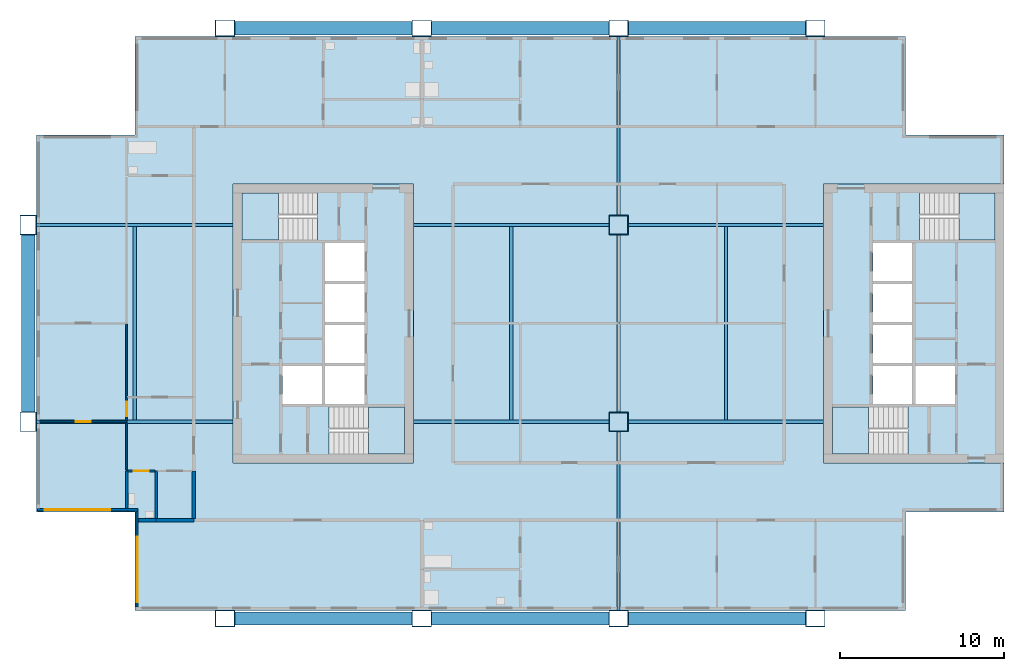
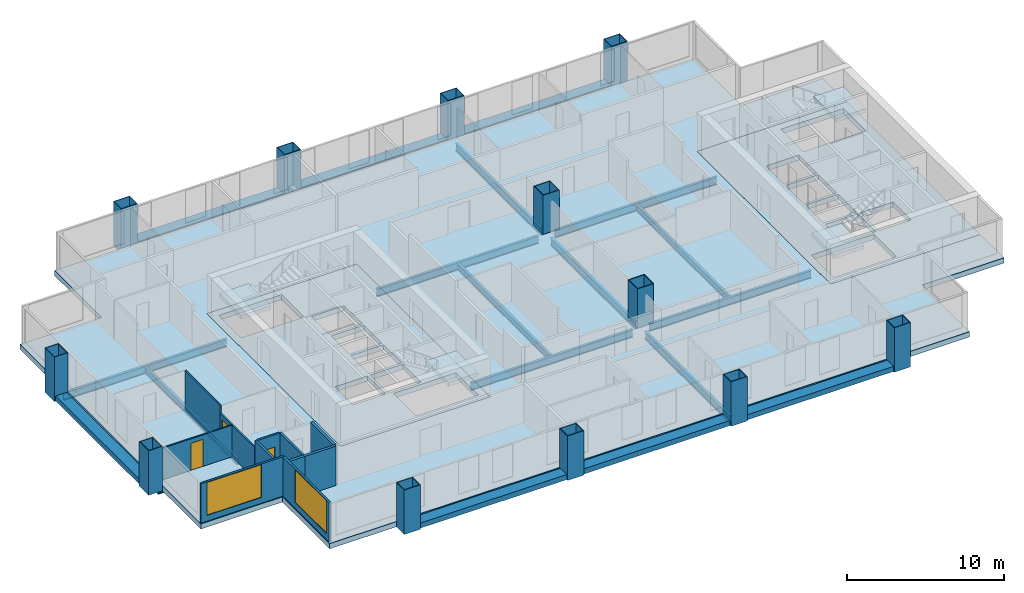
# One storey, part 1 of 9: 19 beams, 12 columns, 12 walls, 7 slabs, 3 doors, 2 windows, 5 openings, 4 elements without a shape of their own.
"""IFC4 building model written with IfcOpenShell, lengths in metres."""

from ifc_helpers import new_model, si_unit, direction, frame, frame_2d, origin, origin_2d, place, context, subcontext, project, spatial, polyline, rectangle, hollow_rectangle, i_section, outline, extrude, material, layer, layer_set, material_profile, profile_set, type_object, element, fill, aggregate, save


model = new_model("IFC4")

# Units and contexts
model_context = context("Model", 3, precision=1e-05, world=origin(), true_north=direction((0.0, 1.0)))
body_context = subcontext(model_context, "Body", "Model", "MODEL_VIEW")
ifc_project = project(units=[si_unit("LENGTHUNIT", "METRE"), si_unit("AREAUNIT", "SQUARE_METRE"), si_unit("VOLUMEUNIT", "CUBIC_METRE"), si_unit("PLANEANGLEUNIT", "RADIAN"), si_unit("MASSUNIT", "GRAM", prefix="KILO")], contexts=[model_context])

# Site, building, storey
site_placement = place(None, origin())
site = spatial("IfcSite", under=ifc_project, at=site_placement, CompositionType="ELEMENT")
building_placement = place(site_placement, origin())
building = spatial("IfcBuilding", under=site, at=building_placement, Name="Kitamizu Gate Tower and Museum", CompositionType="ELEMENT")
storey_placement = place(building_placement, frame((0.0, 0.0, 206.550048828125)))
storey = spatial("IfcBuildingStorey", under=building, at=storey_placement, Name="L55", CompositionType="ELEMENT", Elevation=206.550048828125)

# Columns
ifc_material_1 = material(Name="Steel SM490A bronze coated", Category="steel")
ifc_material_profile_1 = material_profile(ifc_material_1, hollow_rectangle(XDim=1.199951171875, YDim=1.0, WallThickness=0.044921875, at=origin_2d()), Name="BOX 1200x1000x45")
ifc_profile_set_1 = profile_set([ifc_material_profile_1], Name="Steel SM490A bronze coated")
column_type_1 = type_object("IfcColumnType", Name="Exoskeleton column XC7 BOX 1200x1000x45", PredefinedType="COLUMN", material=ifc_profile_set_1)
for number, where, z_axis, x_axis, name in (
    (1, (0.0, 24.0, -0.400146484375), (0.0, 0.0, 1.0), (0.0, 1.0, 0.0), "Column XC7 1C L55"),
    (2, (0.0, 36.0, -0.400146484375), (0.0, 0.0, 1.0), (0.0, 1.0, 0.0), "Column XC7 1D L55"),
    (3, (12.0, 12.0, -0.400146484375), (0.0, 0.0, 1.0), (1.0, 0.0, 0.0), "Column XC7 2B L55"),
    (4, (12.0, 48.0, -0.400146484375), (0.0, 0.0, 1.0), (1.0, 0.0, 0.0), "Column XC7 2E L55"),
    (5, (24.0, 12.0, -0.400146484375), (0.0, 0.0, 1.0), (1.0, 0.0, 0.0), "Column XC7 3B L55"),
    (6, (24.0, 48.0, -0.400146484375), (0.0, 0.0, 1.0), (1.0, 0.0, 0.0), "Column XC7 3E L55"),
    (7, (36.0, 12.0, -0.400146484375), (0.0, 0.0, 1.0), (1.0, 0.0, 0.0), "Column XC7 4B L55"),
    (8, (36.0, 48.0, -0.400146484375), (0.0, 0.0, 1.0), (1.0, 0.0, 0.0), "Column XC7 4E L55"),
    (9, (48.0, 12.0, -0.400146484375), (0.0, 0.0, 1.0), (1.0, 0.0, 0.0), "Column XC7 5B L55"),
    (10, (48.0, 48.0, -0.400146484375), (0.0, 0.0, 1.0), (1.0, 0.0, 0.0), "Column XC7 5E L55"),
):
    element("IfcColumn", number, at=place(storey_placement, frame(where, z_axis=z_axis, x_axis=x_axis)), inside=storey, type_object=column_type_1, Name=name, PredefinedType="COLUMN", context=body_context, shape_type="SweptSolid", body=[
        extrude(hollow_rectangle(XDim=1.199951171875, YDim=1.0, WallThickness=0.044921875, at=origin_2d()), origin(), (0.0, 0.0, 1.0), 3.4501953125),
    ])
ifc_material_2 = material(Name="Steel SM490A", Category="steel")
ifc_material_profile_2 = material_profile(ifc_material_2, hollow_rectangle(XDim=1.199951171875, YDim=1.199951171875, WallThickness=0.050048828125, at=origin_2d()), Name="BOX 1200x1200x50")
ifc_profile_set_2 = profile_set([ifc_material_profile_2], Name="Steel SM490A")
column_type_2 = type_object("IfcColumnType", Name="Interior column IC4 BOX 1200x1200x50", PredefinedType="COLUMN", material=ifc_profile_set_2)
for number, where, z_axis, x_axis, name in (
    (11, (36.0, 24.0, 0.0), (0.0, 0.0, 1.0), (1.0, 0.0, 0.0), "Column IC4 4C L55"),
    (12, (36.0, 36.0, 0.0), (0.0, 0.0, 1.0), (1.0, 0.0, 0.0), "Column IC4 4D L55"),
):
    element("IfcColumn", number, at=place(storey_placement, frame(where, z_axis=z_axis, x_axis=x_axis)), inside=storey, type_object=column_type_2, Name=name, PredefinedType="COLUMN", context=body_context, shape_type="SweptSolid", body=[
        extrude(hollow_rectangle(XDim=1.199951171875, YDim=1.199951171875, WallThickness=0.050048828125, at=origin_2d()), origin(), (0.0, 0.0, 1.0), 3.050048828125),
    ])

# Beams
ifc_material_3 = material(Name="Steel SM490A bronze coated", Category="steel")
ifc_material_profile_3 = material_profile(ifc_material_3, hollow_rectangle(XDim=0.800048828125, YDim=0.39990234375, WallThickness=0.0400390625, at=origin_2d()), Name="BOX 800x400x40")
ifc_profile_set_3 = profile_set([ifc_material_profile_3], Name="Steel SM490A bronze coated")
beam_type_1 = type_object("IfcBeamType", Name="Exoskeleton spandrel beam SB1 BOX 800x400x40", PredefinedType="SPANDREL", material=ifc_profile_set_3)
for number, where, z_axis, x_axis, name in (
    (13, (12.60009765625, 12.0, -0.199951171875), (1.0, 0.0, 0.0), (0.0, 1.0, 0.0), "Exoskeleton spandrel beam south 12 L55"),
    (14, (24.60009765625, 12.0, -0.199951171875), (1.0, 0.0, 0.0), (0.0, 1.0, 0.0), "Exoskeleton spandrel beam south 24 L55"),
    (15, (36.60009765625, 12.0, -0.199951171875), (1.0, 0.0, 0.0), (0.0, 1.0, 0.0), "Exoskeleton spandrel beam south 36 L55"),
    (16, (12.60009765625, 48.0, -0.199951171875), (1.0, 0.0, 0.0), (0.0, 1.0, 0.0), "Exoskeleton spandrel beam north 12 L55"),
    (17, (24.60009765625, 48.0, -0.199951171875), (1.0, 0.0, 0.0), (0.0, 1.0, 0.0), "Exoskeleton spandrel beam north 24 L55"),
    (18, (36.60009765625, 48.0, -0.199951171875), (1.0, 0.0, 0.0), (0.0, 1.0, 0.0), "Exoskeleton spandrel beam north 36 L55"),
    (19, (0.0, 24.60009765625, -0.199951171875), (0.0, 1.0, 0.0), (-1.0, 0.0, 0.0), "Exoskeleton spandrel beam west 24 L55"),
):
    element("IfcBeam", number, at=place(storey_placement, frame(where, z_axis=z_axis, x_axis=x_axis)), inside=storey, type_object=beam_type_1, Name=name, PredefinedType="SPANDREL", context=body_context, shape_type="SweptSolid", body=[
        extrude(hollow_rectangle(XDim=0.800048828125, YDim=0.39990234375, WallThickness=0.0400390625, at=origin_2d()), origin(), (0.0, 0.0, 1.0), 10.7998046875),
    ])
ifc_material_4 = material(Name="Steel SM490A", Category="steel")
ifc_material_profile_4 = material_profile(ifc_material_4, i_section(OverallWidth=0.199951171875, OverallDepth=0.5, WebThickness=0.010009765625, FlangeThickness=0.01611328125, FilletRadius=0.02001953125, at=origin_2d()), Name="H-500x200x10x16")
ifc_profile_set_4 = profile_set([ifc_material_profile_4], Name="Steel SM490A")
beam_type_2 = type_object("IfcBeamType", Name="Floor beam FB1 H 500x200x10x16", PredefinedType="BEAM", material=ifc_profile_set_4)
for number, where, z_axis, x_axis, name in (
    (20, (6.5, 24.10009765625, -0.650146484375), (0.0, 1.0, 0.0), (-1.0, 0.0, 0.0), "Floor beam FB1 L55-1"),
    (21, (29.449951171875, 24.10009765625, -0.650146484375), (0.0, 1.0, 0.0), (-1.0, 0.0, 0.0), "Floor beam FB1 L55-2"),
    (22, (42.550048828125, 24.10009765625, -0.650146484375), (0.0, 1.0, 0.0), (-1.0, 0.0, 0.0), "Floor beam FB1 L55-3"),
):
    element("IfcBeam", number, at=place(storey_placement, frame(where, z_axis=z_axis, x_axis=x_axis)), inside=storey, type_object=beam_type_2, Name=name, PredefinedType="BEAM", context=body_context, shape_type="SweptSolid", body=[
        extrude(i_section(OverallWidth=0.199951171875, OverallDepth=0.5, WebThickness=0.010009765625, FlangeThickness=0.01611328125, FilletRadius=0.02001953125, at=origin_2d()), origin(), (0.0, 0.0, 1.0), 11.7998046875),
    ])
ifc_material_5 = material(Name="Steel SM490A", Category="steel")
ifc_material_profile_5 = material_profile(ifc_material_5, i_section(OverallWidth=0.199951171875, OverallDepth=0.60009765625, WebThickness=0.010986328125, FlangeThickness=0.01708984375, FilletRadius=0.02197265625, at=origin_2d()), Name="H-600x200x11x17")
ifc_profile_set_5 = profile_set([ifc_material_profile_5], Name="Steel SM490A")
beam_type_3 = type_object("IfcBeamType", Name="Floor girder FG1 H 600x200x11x17", PredefinedType="BEAM", material=ifc_profile_set_5)
beam_1_placement = place(storey_placement, frame((36.0, 12.5, -0.699951171875), z_axis=(0.0, 1.0, 0.0), x_axis=(-1.0, 0.0, 0.0)))
element("IfcBeam", 23, at=beam_1_placement, inside=storey, type_object=beam_type_3, Name="Floor girder FG1 x36 L55", PredefinedType="BEAM", context=body_context, shape_type="SweptSolid", body=[
    extrude(i_section(OverallWidth=0.199951171875, OverallDepth=0.60009765625, WebThickness=0.010986328125, FlangeThickness=0.01708984375, FilletRadius=0.02197265625, at=origin_2d()), origin(), (0.0, 0.0, 1.0), 10.89990234375),
])
beam_2_placement = place(storey_placement, frame((36.0, 24.60009765625, -0.699951171875), z_axis=(0.0, 1.0, 0.0), x_axis=(-1.0, 0.0, 0.0)))
element("IfcBeam", 24, at=beam_2_placement, inside=storey, type_object=beam_type_3, Name="Floor girder FG1 x36 L55", PredefinedType="BEAM", context=body_context, shape_type="SweptSolid", body=[
    extrude(i_section(OverallWidth=0.199951171875, OverallDepth=0.60009765625, WebThickness=0.010986328125, FlangeThickness=0.01708984375, FilletRadius=0.02197265625, at=origin_2d()), origin(), (0.0, 0.0, 1.0), 10.7998046875),
])
beam_3_placement = place(storey_placement, frame((36.0, 36.60009765625, -0.699951171875), z_axis=(0.0, 1.0, 0.0), x_axis=(-1.0, 0.0, 0.0)))
element("IfcBeam", 25, at=beam_3_placement, inside=storey, type_object=beam_type_3, Name="Floor girder FG1 x36 L55", PredefinedType="BEAM", context=body_context, shape_type="SweptSolid", body=[
    extrude(i_section(OverallWidth=0.199951171875, OverallDepth=0.60009765625, WebThickness=0.010986328125, FlangeThickness=0.01708984375, FilletRadius=0.02197265625, at=origin_2d()), origin(), (0.0, 0.0, 1.0), 10.89990234375),
])
beam_4_placement = place(storey_placement, frame((0.5, 24.0, -0.699951171875), z_axis=(1.0, 0.0, 0.0), x_axis=(0.0, 1.0, 0.0)))
element("IfcBeam", 26, at=beam_4_placement, inside=storey, type_object=beam_type_3, Name="Floor girder FG1 y24 L55", PredefinedType="BEAM", context=body_context, shape_type="SweptSolid", body=[
    extrude(i_section(OverallWidth=0.199951171875, OverallDepth=0.60009765625, WebThickness=0.010986328125, FlangeThickness=0.01708984375, FilletRadius=0.02197265625, at=origin_2d()), origin(), (0.0, 0.0, 1.0), 12.0),
])
for number, where, z_axis, x_axis, name in (
    (27, (23.5, 24.0, -0.699951171875), (1.0, 0.0, 0.0), (0.0, 1.0, 0.0), "Floor girder FG1 y24 L55"),
    (28, (36.60009765625, 24.0, -0.699951171875), (1.0, 0.0, 0.0), (0.0, 1.0, 0.0), "Floor girder FG1 y24 L55"),
):
    element("IfcBeam", number, at=place(storey_placement, frame(where, z_axis=z_axis, x_axis=x_axis)), inside=storey, type_object=beam_type_3, Name=name, PredefinedType="BEAM", context=body_context, shape_type="SweptSolid", body=[
        extrude(i_section(OverallWidth=0.199951171875, OverallDepth=0.60009765625, WebThickness=0.010986328125, FlangeThickness=0.01708984375, FilletRadius=0.02197265625, at=origin_2d()), origin(), (0.0, 0.0, 1.0), 11.89990234375),
    ])
beam_5_placement = place(storey_placement, frame((0.5, 36.0, -0.699951171875), z_axis=(1.0, 0.0, 0.0), x_axis=(0.0, 1.0, 0.0)))
element("IfcBeam", 29, at=beam_5_placement, inside=storey, type_object=beam_type_3, Name="Floor girder FG1 y36 L55", PredefinedType="BEAM", context=body_context, shape_type="SweptSolid", body=[
    extrude(i_section(OverallWidth=0.199951171875, OverallDepth=0.60009765625, WebThickness=0.010986328125, FlangeThickness=0.01708984375, FilletRadius=0.02197265625, at=origin_2d()), origin(), (0.0, 0.0, 1.0), 12.0),
])
for number, where, z_axis, x_axis, name in (
    (30, (23.5, 36.0, -0.699951171875), (1.0, 0.0, 0.0), (0.0, 1.0, 0.0), "Floor girder FG1 y36 L55"),
    (31, (36.60009765625, 36.0, -0.699951171875), (1.0, 0.0, 0.0), (0.0, 1.0, 0.0), "Floor girder FG1 y36 L55"),
):
    element("IfcBeam", number, at=place(storey_placement, frame(where, z_axis=z_axis, x_axis=x_axis)), inside=storey, type_object=beam_type_3, Name=name, PredefinedType="BEAM", context=body_context, shape_type="SweptSolid", body=[
        extrude(i_section(OverallWidth=0.199951171875, OverallDepth=0.60009765625, WebThickness=0.010986328125, FlangeThickness=0.01708984375, FilletRadius=0.02197265625, at=origin_2d()), origin(), (0.0, 0.0, 1.0), 11.89990234375),
    ])

# Slabs
ifc_material_6 = material(Name="Concrete Fc36", Category="concrete")
ifc_layer_1 = layer(ifc_material_6, 0.39990234375)
ifc_layer_set_1 = layer_set([ifc_layer_1], Name="Concrete Fc36")
slab_type_1 = type_object("IfcSlabType", Name="Core floor slab 400", PredefinedType="FLOOR", material=ifc_layer_set_1)
slab_1_placement = place(storey_placement, frame((0.0, 0.0, -0.400146484375)))
element("IfcSlab", 32, at=slab_1_placement, inside=storey, type_object=slab_type_1, Name="Core floor slab W", PredefinedType="FLOOR", context=body_context, shape_type="SweptSolid", body=[
    extrude(outline(polyline([(12.5, 21.5), (23.5, 21.5), (23.5, 38.5), (12.5, 38.5), (12.5, 21.5)]), holes=[polyline([(15.5, 25.10009765625), (17.89990234375, 25.10009765625), (17.89990234375, 27.39990234375), (15.5, 27.39990234375), (15.5, 25.10009765625)]), polyline([(18.10009765625, 25.10009765625), (20.5, 25.10009765625), (20.5, 27.39990234375), (18.10009765625, 27.39990234375), (18.10009765625, 25.10009765625)]), polyline([(18.10009765625, 27.60009765625), (20.5, 27.60009765625), (20.5, 29.89990234375), (18.10009765625, 29.89990234375), (18.10009765625, 27.60009765625)]), polyline([(18.10009765625, 30.10009765625), (20.5, 30.10009765625), (20.5, 32.39990234375), (18.10009765625, 32.39990234375), (18.10009765625, 30.10009765625)]), polyline([(18.10009765625, 32.60009765625), (20.5, 32.60009765625), (20.5, 34.89990234375), (18.10009765625, 34.89990234375), (18.10009765625, 32.60009765625)]), polyline([(18.3505859375, 22.050048828125), (22.949951171875, 22.050048828125), (22.949951171875, 24.89990234375), (18.3505859375, 24.89990234375), (18.3505859375, 22.050048828125)]), polyline([(13.050048828125, 35.10009765625), (17.6494140625, 35.10009765625), (17.6494140625, 37.949951171875), (13.050048828125, 37.949951171875), (13.050048828125, 35.10009765625)])]), origin(), (0.0, 0.0, 1.0), 0.400146484375),
])
slab_2_placement = place(storey_placement, frame((0.0, 0.0, -0.400146484375)))
element("IfcSlab", 33, at=slab_2_placement, inside=storey, type_object=slab_type_1, Name="Core floor slab E", PredefinedType="FLOOR", context=body_context, shape_type="SweptSolid", body=[
    extrude(outline(polyline([(48.5, 21.5), (59.5, 21.5), (59.5, 38.5), (48.5, 38.5), (48.5, 21.5)]), holes=[polyline([(54.10009765625, 25.10009765625), (56.5, 25.10009765625), (56.5, 27.39990234375), (54.10009765625, 27.39990234375), (54.10009765625, 25.10009765625)]), polyline([(51.5, 25.10009765625), (53.89990234375, 25.10009765625), (53.89990234375, 27.39990234375), (51.5, 27.39990234375), (51.5, 25.10009765625)]), polyline([(51.5, 27.60009765625), (53.89990234375, 27.60009765625), (53.89990234375, 29.89990234375), (51.5, 29.89990234375), (51.5, 27.60009765625)]), polyline([(51.5, 30.10009765625), (53.89990234375, 30.10009765625), (53.89990234375, 32.39990234375), (51.5, 32.39990234375), (51.5, 30.10009765625)]), polyline([(51.5, 32.60009765625), (53.89990234375, 32.60009765625), (53.89990234375, 34.89990234375), (51.5, 34.89990234375), (51.5, 32.60009765625)]), polyline([(49.050048828125, 22.050048828125), (53.6494140625, 22.050048828125), (53.6494140625, 24.89990234375), (49.050048828125, 24.89990234375), (49.050048828125, 22.050048828125)]), polyline([(54.3505859375, 35.10009765625), (58.949951171875, 35.10009765625), (58.949951171875, 37.949951171875), (54.3505859375, 37.949951171875), (54.3505859375, 35.10009765625)])]), origin(), (0.0, 0.0, 1.0), 0.400146484375),
])
ifc_material_7 = material(Name="Concrete Fc36", Category="concrete")
ifc_layer_2 = layer(ifc_material_7, 0.39990234375)
ifc_layer_set_2 = layer_set([ifc_layer_2], Name="Concrete Fc36")
slab_type_2 = type_object("IfcSlabType", Name="Post tensioned flat slab 400", PredefinedType="FLOOR", material=ifc_layer_set_2)
slab_3_placement = place(storey_placement, frame((0.0, 0.0, -0.400146484375)))
element("IfcSlab", 34, at=slab_3_placement, inside=storey, type_object=slab_type_2, Name="Floor slab L55-1", PredefinedType="FLOOR", context=body_context, shape_type="SweptSolid", body=[
    extrude(outline(polyline([(0.5, 18.5), (0.5, 41.5), (6.5, 41.5), (6.5, 47.5), (53.5, 47.5), (53.5, 41.5), (59.5, 41.5), (59.5, 38.5), (48.5, 38.5), (48.5, 21.5), (59.5, 21.5), (59.5, 18.5), (53.5, 18.5), (53.5, 12.5), (6.5, 12.5), (6.5, 18.5), (0.5, 18.5)]), holes=[polyline([(12.5, 38.5), (12.5, 21.5), (23.5, 21.5), (23.5, 38.5), (12.5, 38.5)])]), origin(), (0.0, 0.0, 1.0), 0.400146484375),
])

# Stair, slab
ifc_material_8 = material(Name="Concrete Fc42", Category="concrete")
stair_type = type_object("IfcStairType", Name="Exit stair 1325 wide 192 rise 300 going", PredefinedType="HALF_TURN_STAIR", material=ifc_material_8)
stair_1_placement = place(storey_placement, origin())
stair_1 = element("IfcStair", 35, at=stair_1_placement, inside=storey, type_object=stair_type, Name="Exit stair ST1", PredefinedType="HALF_TURN_STAIR")
ifc_material_9 = material(Name="Concrete Fc42", Category="concrete")
ifc_layer_3 = layer(ifc_material_9, 0.300048828125)
ifc_layer_set_3 = layer_set([ifc_layer_3], Name="Concrete Fc42")
slab_type_3 = type_object("IfcSlabType", Name="Stair landing 300", PredefinedType="LANDING", material=ifc_layer_set_3)
slab_4_placement = place(storey_placement, frame((0.0, 0.0, 1.425048828125)))
slab_4 = element("IfcSlab", 36, at=slab_4_placement, type_object=slab_type_3, Name="ST1 landing 1", PredefinedType="LANDING", context=body_context, shape_type="SweptSolid", body=[
    extrude(outline(polyline([(20.75, 22.050048828125), (22.949951171875, 22.050048828125), (22.949951171875, 24.89990234375), (20.75, 24.89990234375), (20.75, 22.050048828125)])), origin(), (0.0, 0.0, 1.0), 0.2998046875),
])
aggregate(stair_1, [slab_4])

stair_2_placement = place(storey_placement, origin())
stair_2 = element("IfcStair", 37, at=stair_2_placement, inside=storey, type_object=stair_type, Name="Exit stair ST2", PredefinedType="HALF_TURN_STAIR")
slab_5_placement = place(storey_placement, frame((0.0, 0.0, 1.425048828125)))
slab_5 = element("IfcSlab", 38, at=slab_5_placement, type_object=slab_type_3, Name="ST2 landing 1", PredefinedType="LANDING", context=body_context, shape_type="SweptSolid", body=[
    extrude(outline(polyline([(13.050048828125, 35.10009765625), (15.25, 35.10009765625), (15.25, 37.949951171875), (13.050048828125, 37.949951171875), (13.050048828125, 35.10009765625)])), origin(), (0.0, 0.0, 1.0), 0.2998046875),
])
aggregate(stair_2, [slab_5])

stair_3_placement = place(storey_placement, origin())
stair_3 = element("IfcStair", 39, at=stair_3_placement, inside=storey, type_object=stair_type, Name="Exit stair ST3", PredefinedType="HALF_TURN_STAIR")
slab_6_placement = place(storey_placement, frame((0.0, 0.0, 1.425048828125)))
slab_6 = element("IfcSlab", 40, at=slab_6_placement, type_object=slab_type_3, Name="ST3 landing 1", PredefinedType="LANDING", context=body_context, shape_type="SweptSolid", body=[
    extrude(outline(polyline([(49.050048828125, 22.050048828125), (51.25, 22.050048828125), (51.25, 24.89990234375), (49.050048828125, 24.89990234375), (49.050048828125, 22.050048828125)])), origin(), (0.0, 0.0, 1.0), 0.2998046875),
])
aggregate(stair_3, [slab_6])

stair_4_placement = place(storey_placement, origin())
stair_4 = element("IfcStair", 41, at=stair_4_placement, inside=storey, type_object=stair_type, Name="Exit stair ST4", PredefinedType="HALF_TURN_STAIR")
slab_7_placement = place(storey_placement, frame((0.0, 0.0, 1.425048828125)))
slab_7 = element("IfcSlab", 42, at=slab_7_placement, type_object=slab_type_3, Name="ST4 landing 1", PredefinedType="LANDING", context=body_context, shape_type="SweptSolid", body=[
    extrude(outline(polyline([(56.75, 35.10009765625), (58.949951171875, 35.10009765625), (58.949951171875, 37.949951171875), (56.75, 37.949951171875), (56.75, 35.10009765625)])), origin(), (0.0, 0.0, 1.0), 0.2998046875),
])
aggregate(stair_4, [slab_7])

# Wall, opening, door
ifc_material_10 = material(Name="Gypsum board on galvanised stud")
ifc_layer_4 = layer(ifc_material_10, 0.10009765625)
ifc_layer_set_4 = layer_set([ifc_layer_4], Name="Gypsum board on galvanised stud")
wall_type_1 = type_object("IfcWallType", Name="Partition 100 NOT RATED", PredefinedType="PARTITIONING", material=ifc_layer_set_4)
wall_1_placement = place(storey_placement, frame((6.0, 24.0, 0.0), z_axis=(0.0, 0.0, 1.0), x_axis=(-1.0, 0.0, 0.0)))
wall_1 = element("IfcWall", 43, at=wall_1_placement, inside=storey, type_object=wall_type_1, Name="Partition L55-035", PredefinedType="PARTITIONING", context=body_context, shape_type="SweptSolid", body=[
    extrude(rectangle(XDim=5.280029296875, YDim=0.10009765625, at=frame_2d((2.64013671875, 0.0))), origin(), (0.0, 0.0, 1.0), 2.449951171875),
])
opening_1_placement = place(wall_1_placement, frame((2.18994140625, 0.0, 0.0)))
opening_1 = element("IfcOpeningElement", 44, at=opening_1_placement, cuts=wall_1, Name="Opening L55-021", PredefinedType="OPENING", context=body_context, shape_type="SweptSolid", body=[
    extrude(rectangle(XDim=0.89990234375, YDim=2.10009765625, at=frame_2d((0.449951171875, 1.050048828125))), frame((0.0, 0.06005859375, 0.0), z_axis=(0.0, -1.0, 0.0), x_axis=(1.0, 0.0, 0.0)), (0.0, 0.0, 1.0), 0.1201171875),
])
ifc_material_11 = material(Name="Timber door set", Category="wood")
door_type_1 = type_object("IfcDoorType", Name="Room door 900", OperationType="NOTDEFINED", PredefinedType="DOOR", material=ifc_material_11)
door_1_placement = place(opening_1_placement, origin())
door_1 = element("IfcDoor", 45, at=door_1_placement, inside=storey, type_object=door_type_1, Name="Door L55-021", OperationType="SINGLE_SWING_LEFT", OverallHeight=2.10009765625, OverallWidth=0.89990234375, PredefinedType="DOOR", context=body_context, shape_type="SweptSolid", body=[
    extrude(rectangle(XDim=0.89990234375, YDim=2.10009765625, at=frame_2d((0.449951171875, 1.050048828125))), frame((0.0, 0.02490234375, 0.0), z_axis=(0.0, -1.0, 0.0), x_axis=(1.0, 0.0, 0.0)), (0.0, 0.0, 1.0), 0.050048828125),
])
fill(opening_1, door_1)

# Wall
wall_2_placement = place(storey_placement, frame((6.0, 21.074951171875, 0.0), z_axis=(0.0, 0.0, 1.0), x_axis=(0.0, 1.0, 0.0)))
element("IfcWall", 46, at=wall_2_placement, inside=storey, type_object=wall_type_1, Name="Partition L55-037", PredefinedType="PARTITIONING", context=body_context, shape_type="SweptSolid", body=[
    extrude(rectangle(XDim=2.875, YDim=0.10009765625, at=frame_2d((1.4375, 0.0))), origin(), (0.0, 0.0, 1.0), 2.449951171875),
])

# Wall, opening, door
wall_3_placement = place(storey_placement, frame((6.0, 24.050048828125, 0.0), z_axis=(0.0, 0.0, 1.0), x_axis=(0.0, 1.0, 0.0)))
wall_3 = element("IfcWall", 47, at=wall_3_placement, inside=storey, type_object=wall_type_1, Name="Partition L55-039", PredefinedType="PARTITIONING", context=body_context, shape_type="SweptSolid", body=[
    extrude(rectangle(XDim=1.449951171875, YDim=0.10009765625, at=frame_2d((0.72509765625, 0.0))), origin(), (0.0, 0.0, 1.0), 2.449951171875),
])
opening_2_placement = place(wall_3_placement, frame((0.27490234375, 0.0, 0.0)))
opening_2 = element("IfcOpeningElement", 48, at=opening_2_placement, cuts=wall_3, Name="Opening L55-018", PredefinedType="OPENING", context=body_context, shape_type="SweptSolid", body=[
    extrude(rectangle(XDim=0.89990234375, YDim=2.10009765625, at=frame_2d((0.449951171875, 1.050048828125))), frame((0.0, 0.06005859375, 0.0), z_axis=(0.0, -1.0, 0.0), x_axis=(1.0, 0.0, 0.0)), (0.0, 0.0, 1.0), 0.1201171875),
])
door_2_placement = place(opening_2_placement, origin())
door_2 = element("IfcDoor", 49, at=door_2_placement, inside=storey, type_object=door_type_1, Name="Door L55-018", OperationType="SINGLE_SWING_RIGHT", OverallHeight=2.10009765625, OverallWidth=0.89990234375, PredefinedType="DOOR", context=body_context, shape_type="SweptSolid", body=[
    extrude(rectangle(XDim=0.89990234375, YDim=2.10009765625, at=frame_2d((0.449951171875, 1.050048828125))), frame((0.0, 0.02490234375, 0.0), z_axis=(0.0, -1.0, 0.0), x_axis=(1.0, 0.0, 0.0)), (0.0, 0.0, 1.0), 0.050048828125),
])
fill(opening_2, door_2)

# Walls
wall_4_placement = place(storey_placement, frame((6.0, 25.5, 0.0), z_axis=(0.0, 0.0, 1.0), x_axis=(0.0, 1.0, 0.0)))
element("IfcWall", 50, at=wall_4_placement, inside=storey, type_object=wall_type_1, Name="Partition L55-040", PredefinedType="PARTITIONING", context=body_context, shape_type="SweptSolid", body=[
    extrude(rectangle(XDim=4.449951171875, YDim=0.10009765625, at=frame_2d((2.22509765625, 0.0))), origin(), (0.0, 0.0, 1.0), 3.050048828125),
])
ifc_material_12 = material(Name="Gypsum board on galvanised stud")
ifc_layer_5 = layer(ifc_material_12, 0.14990234375)
ifc_layer_set_5 = layer_set([ifc_layer_5], Name="Gypsum board on galvanised stud")
wall_type_2 = type_object("IfcWallType", Name="Partition 150", PredefinedType="PARTITIONING", material=ifc_layer_set_5)
wall_5_placement = place(storey_placement, frame((6.0, 18.719970703125, 0.0), z_axis=(0.0, 0.0, 1.0), x_axis=(0.0, 1.0, 0.0)))
element("IfcWall", 51, at=wall_5_placement, inside=storey, type_object=wall_type_2, Name="Partition L55-036", PredefinedType="PARTITIONING", context=body_context, shape_type="SweptSolid", body=[
    extrude(rectangle(XDim=2.280029296875, YDim=0.14990234375, at=frame_2d((1.14013671875, 0.0))), origin(), (0.0, 0.0, 1.0), 3.050048828125),
])
wall_6_placement = place(storey_placement, frame((7.800048828125, 18.10009765625, 0.0), z_axis=(0.0, 0.0, 1.0), x_axis=(0.0, 1.0, 0.0)))
element("IfcWall", 52, at=wall_6_placement, inside=storey, type_object=wall_type_2, Name="Partition L55-044", PredefinedType="PARTITIONING", context=body_context, shape_type="SweptSolid", body=[
    extrude(rectangle(XDim=2.89990234375, YDim=0.14990234375, at=frame_2d((1.449951171875, 0.0))), origin(), (0.0, 0.0, 1.0), 3.050048828125),
])

# Wall, opening, door
wall_7_placement = place(storey_placement, frame((7.72509765625, 21.0, 0.0), z_axis=(0.0, 0.0, 1.0), x_axis=(-1.0, 0.0, 0.0)))
wall_7 = element("IfcWall", 53, at=wall_7_placement, inside=storey, type_object=wall_type_2, Name="Partition L55-045", PredefinedType="PARTITIONING", context=body_context, shape_type="SweptSolid", body=[
    extrude(rectangle(XDim=1.650146484375, YDim=0.14990234375, at=frame_2d((0.8251953125, 0.0))), origin(), (0.0, 0.0, 1.0), 3.050048828125),
])
opening_3_placement = place(wall_7_placement, frame((0.375, 0.0, 0.0)))
opening_3 = element("IfcOpeningElement", 54, at=opening_3_placement, cuts=wall_7, Name="Opening L55-022", PredefinedType="OPENING", context=body_context, shape_type="SweptSolid", body=[
    extrude(rectangle(XDim=0.89990234375, YDim=2.10009765625, at=frame_2d((0.449951171875, 1.050048828125))), frame((0.0, 0.0849609375, 0.0), z_axis=(0.0, -1.0, 0.0), x_axis=(1.0, 0.0, 0.0)), (0.0, 0.0, 1.0), 0.169921875),
])
ifc_material_13 = material(Name="Timber door set", Category="wood")
door_type_2 = type_object("IfcDoorType", Name="Bathroom door 900", OperationType="NOTDEFINED", PredefinedType="DOOR", material=ifc_material_13)
door_3_placement = place(opening_3_placement, origin())
door_3 = element("IfcDoor", 55, at=door_3_placement, inside=storey, type_object=door_type_2, Name="Bathroom door L55-022", OperationType="SINGLE_SWING_RIGHT", OverallHeight=2.10009765625, OverallWidth=0.89990234375, PredefinedType="DOOR", context=body_context, shape_type="SweptSolid", body=[
    extrude(rectangle(XDim=0.89990234375, YDim=2.10009765625, at=frame_2d((0.449951171875, 1.050048828125))), frame((0.0, 0.02490234375, 0.0), z_axis=(0.0, -1.0, 0.0), x_axis=(1.0, 0.0, 0.0)), (0.0, 0.0, 1.0), 0.050048828125),
])
fill(opening_3, door_3)

# Walls
ifc_material_14 = material(Name="Gypsum board on galvanised stud")
ifc_layer_6 = layer(ifc_material_14, 0.199951171875)
ifc_layer_set_6 = layer_set([ifc_layer_6], Name="Gypsum board on galvanised stud")
wall_type_3 = type_object("IfcWallType", Name="Partition 200", PredefinedType="PARTITIONING", material=ifc_layer_set_6)
wall_8_placement = place(storey_placement, frame((6.719970703125, 18.0, 0.0), z_axis=(0.0, 0.0, 1.0), x_axis=(1.0, 0.0, 0.0)))
element("IfcWall", 56, at=wall_8_placement, inside=storey, type_object=wall_type_3, Name="Partition L55-046", PredefinedType="PARTITIONING", context=body_context, shape_type="SweptSolid", body=[
    extrude(rectangle(XDim=1.080078125, YDim=0.199951171875, at=frame_2d((0.5400390625, 0.0))), origin(), (0.0, 0.0, 1.0), 3.050048828125),
])
wall_9_placement = place(storey_placement, frame((7.800048828125, 18.0, 0.0), z_axis=(0.0, 0.0, 1.0), x_axis=(1.0, 0.0, 0.0)))
element("IfcWall", 57, at=wall_9_placement, inside=storey, type_object=wall_type_3, Name="Partition L55-048", PredefinedType="PARTITIONING", context=body_context, shape_type="SweptSolid", body=[
    extrude(rectangle(XDim=2.300048828125, YDim=0.199951171875, at=frame_2d((1.14990234375, 0.0))), origin(), (0.0, 0.0, 1.0), 3.050048828125),
])
wall_10_placement = place(storey_placement, frame((10.10009765625, 18.10009765625, 0.0), z_axis=(0.0, 0.0, 1.0), x_axis=(0.0, 1.0, 0.0)))
element("IfcWall", 58, at=wall_10_placement, inside=storey, type_object=wall_type_3, Name="Partition L55-049", PredefinedType="PARTITIONING", context=body_context, shape_type="SweptSolid", body=[
    extrude(rectangle(XDim=2.89990234375, YDim=0.199951171875, at=frame_2d((1.449951171875, 0.0))), origin(), (0.0, 0.0, 1.0), 3.050048828125),
])

# Wall, opening, window
ifc_material_15 = material(Name="Bronze anodised aluminium frame with insulated spandrel and tinted glass", Category="aluminium")
ifc_layer_7 = layer(ifc_material_15, 0.14990234375)
ifc_layer_set_7 = layer_set([ifc_layer_7], Name="Bronze anodised aluminium frame with insulated spandrel and tinted glass")
wall_type_4 = type_object("IfcWallType", Name="WINDOW WALL 150 BRONZE FRAME EI 30", PredefinedType="ELEMENTEDWALL", material=ifc_layer_set_7)
wall_11_placement = place(storey_placement, frame((0.56005859375, 18.635009765625, 0.0), z_axis=(0.0, 0.0, 1.0), x_axis=(1.0, 0.0, 0.0)))
wall_11 = element("IfcWall", 59, at=wall_11_placement, inside=storey, type_object=wall_type_4, Name="Window wall south L55", PredefinedType="ELEMENTEDWALL", context=body_context, shape_type="SweptSolid", body=[
    extrude(rectangle(XDim=6.14990234375, YDim=0.14990234375, at=frame_2d((3.074951171875, 0.0))), origin(), (0.0, 0.0, 1.0), 3.050048828125),
])
opening_4_placement = place(wall_11_placement, frame((0.43994140625, 0.0, 0.449951171875)))
opening_4 = element("IfcOpeningElement", 60, at=opening_4_placement, cuts=wall_11, Name="Opening W16", PredefinedType="OPENING", context=body_context, shape_type="SweptSolid", body=[
    extrude(rectangle(XDim=4.0, YDim=2.550048828125, at=frame_2d((2.0, 1.27490234375))), frame((0.0, 0.0849609375, 0.0), z_axis=(0.0, -1.0, 0.0), x_axis=(1.0, 0.0, 0.0)), (0.0, 0.0, 1.0), 0.169921875),
])
ifc_material_16 = material(Name="Bronze anodised aluminium frame, tinted triple glazing", Category="aluminium")
window_type = type_object("IfcWindowType", Name="WINDOW 4000 x 2550 SILL 450", PartitioningType="SINGLE_PANEL", PredefinedType="WINDOW", material=ifc_material_16)
window_1_placement = place(opening_4_placement, origin())
window_1 = element("IfcWindow", 61, at=window_1_placement, inside=storey, type_object=window_type, Name="Window W16 L55", OverallHeight=2.550048828125, OverallWidth=4.0, PartitioningType="SINGLE_PANEL", PredefinedType="WINDOW", context=body_context, shape_type="SweptSolid", body=[
    extrude(rectangle(XDim=4.0, YDim=2.550048828125, at=frame_2d((2.0, 1.27490234375))), frame((0.0, 0.030029296875, 0.0), z_axis=(0.0, -1.0, 0.0), x_axis=(1.0, 0.0, 0.0)), (0.0, 0.0, 1.0), 0.06005859375),
])
fill(opening_4, window_1)

wall_12_placement = place(storey_placement, frame((6.635009765625, 12.7099609375, 0.0), z_axis=(0.0, 0.0, 1.0), x_axis=(0.0, 1.0, 0.0)))
wall_12 = element("IfcWall", 62, at=wall_12_placement, inside=storey, type_object=wall_type_4, Name="Window wall west L55", PredefinedType="ELEMENTEDWALL", context=body_context, shape_type="SweptSolid", body=[
    extrude(rectangle(XDim=5.85009765625, YDim=0.14990234375, at=frame_2d((2.925048828125, 0.0))), origin(), (0.0, 0.0, 1.0), 3.050048828125),
])
opening_5_placement = place(wall_12_placement, frame((0.2900390625, 0.0, 0.449951171875)))
opening_5 = element("IfcOpeningElement", 63, at=opening_5_placement, cuts=wall_12, Name="Opening W16", PredefinedType="OPENING", context=body_context, shape_type="SweptSolid", body=[
    extrude(rectangle(XDim=4.0, YDim=2.550048828125, at=frame_2d((2.0, 1.27490234375))), frame((0.0, 0.0849609375, 0.0), z_axis=(0.0, -1.0, 0.0), x_axis=(1.0, 0.0, 0.0)), (0.0, 0.0, 1.0), 0.169921875),
])
window_2_placement = place(opening_5_placement, origin())
window_2 = element("IfcWindow", 64, at=window_2_placement, inside=storey, type_object=window_type, Name="Window W16 L55", OverallHeight=2.550048828125, OverallWidth=4.0, PartitioningType="SINGLE_PANEL", PredefinedType="WINDOW", context=body_context, shape_type="SweptSolid", body=[
    extrude(rectangle(XDim=4.0, YDim=2.550048828125, at=frame_2d((2.0, 1.27490234375))), frame((0.0, 0.030029296875, 0.0), z_axis=(0.0, -1.0, 0.0), x_axis=(1.0, 0.0, 0.0)), (0.0, 0.0, 1.0), 0.06005859375),
])
fill(opening_5, window_2)

save(model, "model.ifc")
